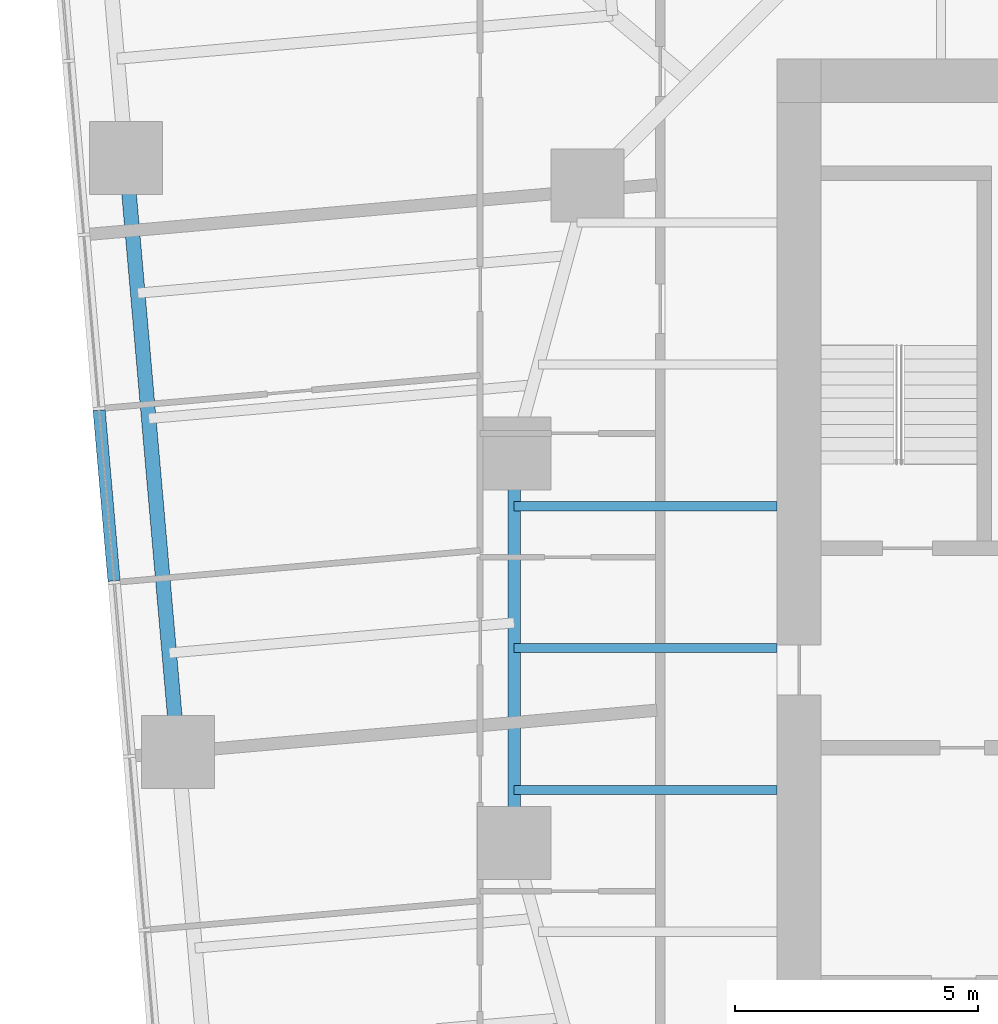
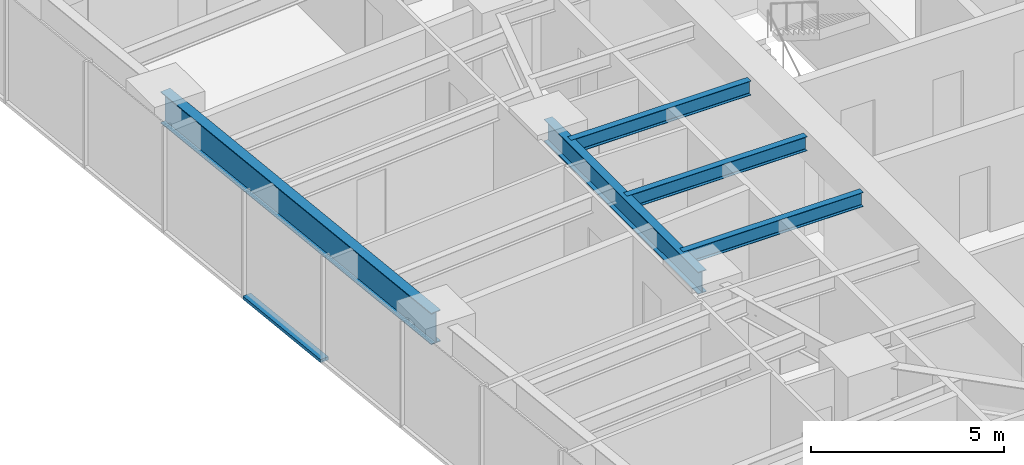
# One storey, part 3 of 14: 5 beams, 1 member, 1 element without a shape of its own.
"""IFC4 building model written with IfcOpenShell, lengths in metres."""

from ifc_helpers import new_model, si_unit, direction, frame, origin, origin_2d, place, context, subcontext, project, spatial, rectangle, i_section, extrude, material, material_profile, profile_set, type_object, element, aggregate, save


model = new_model("IFC4")

# Units and contexts
model_context = context("Model", 3, precision=1e-05, world=origin(), true_north=direction((0.0, 1.0)))
body_context = subcontext(model_context, "Body", "Model", "MODEL_VIEW")
ifc_project = project(units=[si_unit("LENGTHUNIT", "METRE"), si_unit("AREAUNIT", "SQUARE_METRE"), si_unit("VOLUMEUNIT", "CUBIC_METRE"), si_unit("PLANEANGLEUNIT", "RADIAN"), si_unit("MASSUNIT", "GRAM", prefix="KILO")], contexts=[model_context])

# Site, building, storey
site_placement = place(None, origin())
site = spatial("IfcSite", under=ifc_project, at=site_placement, CompositionType="ELEMENT")
building_placement = place(site_placement, origin())
building = spatial("IfcBuilding", under=site, at=building_placement, Name="Torsade Residences", CompositionType="ELEMENT")
storey_placement = place(building_placement, frame((0.0, 0.0, 67.60009765625)))
storey = spatial("IfcBuildingStorey", under=building, at=storey_placement, Name="L18", CompositionType="ELEMENT", Elevation=67.60009765625)

# Curtain wall, member
ifc_material_1 = material(Name="Aluminium and glass", Category="aluminium")
curtain_wall_type = type_object("IfcCurtainWallType", Name="FRITTED GLASS CURTAIN WALL LOW ZONE", PredefinedType="NOTDEFINED", material=ifc_material_1)
curtain_wall_placement = place(storey_placement, origin())
curtain_wall = element("IfcCurtainWall", 1, at=curtain_wall_placement, inside=storey, type_object=curtain_wall_type, Name="Curtain wall L18 face 10", PredefinedType="NOTDEFINED")
ifc_material_2 = material(Name="Aluminium transom", Category="aluminium")
ifc_material_profile_1 = material_profile(ifc_material_2, rectangle(XDim=0.25, YDim=0.10009765625, at=origin_2d()), Name="CURTAIN WALL TRANSOM 250x100")
ifc_profile_set_1 = profile_set([ifc_material_profile_1], Name="Aluminium transom")
member_type = type_object("IfcMemberType", Name="CURTAIN WALL TRANSOM 250x100", PredefinedType="USERDEFINED", material=ifc_profile_set_1)
member_placement = place(storey_placement, frame((13.975341796875, 34.884521484375, 0.0498046875), z_axis=(0.087156620531, -0.996194621295, 0.0), x_axis=(0.996194621295, 0.087156620531, 0.0)))
member = element("IfcMember", 2, at=member_placement, type_object=member_type, Name="Transom 5.1", ObjectType="TRANSOM", PredefinedType="USERDEFINED", context=body_context, shape_type="SweptSolid", body=[
    extrude(rectangle(XDim=0.25, YDim=0.10009765625, at=origin_2d()), origin(), (0.0, 0.0, 1.0), 3.518310546875),
])
aggregate(curtain_wall, [member])

# Beams
ifc_material_3 = material(Name="Steel grade 300", Category="steel")
ifc_material_profile_2 = material_profile(ifc_material_3, i_section(OverallWidth=0.300048828125, OverallDepth=1.0, WebThickness=0.01611328125, FlangeThickness=0.028076171875, at=origin_2d()), Name="1000WB215")
ifc_profile_set_2 = profile_set([ifc_material_profile_2], Name="Steel grade 300")
beam_type_1 = type_object("IfcBeamType", Name="EDGE BEAM 1000WB215", PredefinedType="SPANDREL", material=ifc_profile_set_2)
beam_1_placement = place(storey_placement, frame((14.525634765625, 40.068115234375, 2.75), z_axis=(0.08715335259, -0.996194907201, 0.0), x_axis=(0.996194907201, 0.08715335259, 0.0)))
element("IfcBeam", 3, at=beam_1_placement, inside=storey, type_object=beam_type_1, Name="Edge beam 14 L19", PredefinedType="SPANDREL", context=body_context, shape_type="SweptSolid", body=[
    extrude(i_section(OverallWidth=0.300048828125, OverallDepth=1.0, WebThickness=0.01611328125, FlangeThickness=0.028076171875, at=origin_2d()), origin(), (0.0, 0.0, 1.0), 12.25),
])
ifc_material_4 = material(Name="Steel grade 300", Category="steel")
ifc_material_profile_3 = material_profile(ifc_material_4, i_section(OverallWidth=0.18994140625, OverallDepth=0.4541015625, WebThickness=0.008544921875, FlangeThickness=0.0126953125, FilletRadius=0.011474609375, at=origin_2d()), Name="460UB67.1")
ifc_profile_set_3 = profile_set([ifc_material_profile_3], Name="Steel grade 300")
beam_type_2 = type_object("IfcBeamType", Name="INNER FLOOR BEAM 460UB67.1", PredefinedType="JOIST", material=ifc_profile_set_3)
for number, where, z_axis, x_axis, name in (
    (4, (27.89990234375, 32.91259765625, 3.02294921875), (-1.0, 0.0, 0.0), (0.0, -1.0, 0.0), "Inner floor beam IW03 L19"),
    (5, (27.89990234375, 30.0, 3.02294921875), (-1.0, 0.0, 0.0), (0.0, -1.0, 0.0), "Inner floor beam IW04 L19"),
    (6, (27.89990234375, 27.08740234375, 3.02294921875), (-1.0, 0.0, 0.0), (0.0, -1.0, 0.0), "Inner floor beam IW05 L19"),
):
    element("IfcBeam", number, at=place(storey_placement, frame(where, z_axis=z_axis, x_axis=x_axis)), inside=storey, type_object=beam_type_2, Name=name, PredefinedType="JOIST", context=body_context, shape_type="SweptSolid", body=[
        extrude(i_section(OverallWidth=0.18994140625, OverallDepth=0.4541015625, WebThickness=0.008544921875, FlangeThickness=0.0126953125, FilletRadius=0.011474609375, at=origin_2d()), origin(), (0.0, 0.0, 1.0), 5.39990234375),
    ])
ifc_material_5 = material(Name="Steel grade 300", Category="steel")
ifc_material_profile_4 = material_profile(ifc_material_5, i_section(OverallWidth=0.25, OverallDepth=0.699951171875, WebThickness=0.010009765625, FlangeThickness=0.02001953125, at=origin_2d()), Name="700WB130")
ifc_profile_set_4 = profile_set([ifc_material_profile_4], Name="Steel grade 300")
beam_type_3 = type_object("IfcBeamType", Name="RING GIRDER 700WB130", PredefinedType="BEAM", material=ifc_profile_set_4)
beam_2_placement = place(storey_placement, frame((22.5, 34.0, 2.89990234375), z_axis=(0.0, -1.0, 0.0), x_axis=(1.0, 0.0, 0.0)))
element("IfcBeam", 7, at=beam_2_placement, inside=storey, type_object=beam_type_3, Name="Ring girder IR09 L19", PredefinedType="BEAM", context=body_context, shape_type="SweptSolid", body=[
    extrude(i_section(OverallWidth=0.25, OverallDepth=0.699951171875, WebThickness=0.010009765625, FlangeThickness=0.02001953125, at=origin_2d()), origin(), (0.0, 0.0, 1.0), 8.0),
])

save(model, "model.ifc")
